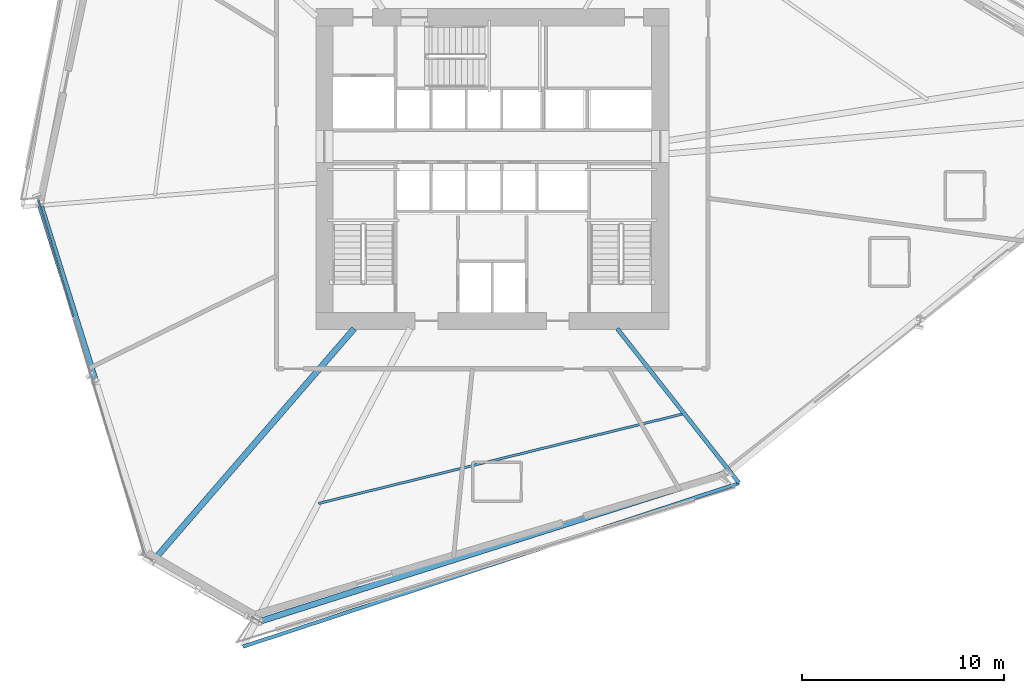
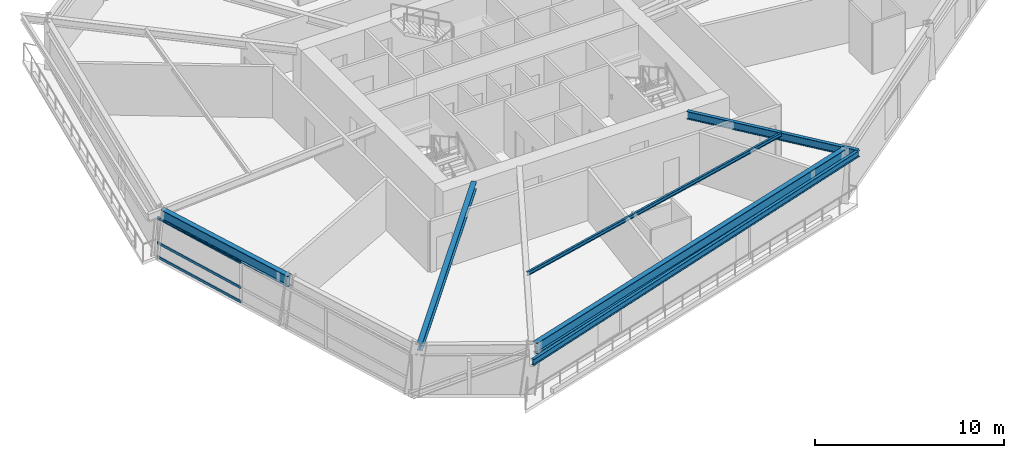
# One storey, part 5 of 22: 6 beams, 3 members, 1 element without a shape of its own.
"""IFC4 building model written with IfcOpenShell, lengths in metres."""

from ifc_helpers import new_model, si_unit, direction, frame, origin, origin_2d, place, context, subcontext, project, spatial, hollow_rectangle, i_section, extrude, source, transform, mapped, material, material_profile, profile_set, type_object, element, aggregate, save


model = new_model("IFC4")

# Units and contexts
model_context = context("Model", 3, precision=1e-05, world=origin(), true_north=direction((0.0, 1.0)))
body_context = subcontext(model_context, "Body", "Model", "MODEL_VIEW")
ifc_project = project(units=[si_unit("LENGTHUNIT", "METRE"), si_unit("AREAUNIT", "SQUARE_METRE"), si_unit("VOLUMEUNIT", "CUBIC_METRE"), si_unit("PLANEANGLEUNIT", "RADIAN"), si_unit("MASSUNIT", "GRAM", prefix="KILO")], contexts=[model_context])

# Site, building, storey
site_placement = place(None, origin())
site = spatial("IfcSite", under=ifc_project, at=site_placement, CompositionType="ELEMENT")
building_placement = place(site_placement, origin())
building = spatial("IfcBuilding", under=site, at=building_placement, Name="Olszyna Solenne Hotel", CompositionType="ELEMENT")
storey_placement = place(building_placement, frame((0.0, 0.0, 50.60009765625)))
storey = spatial("IfcBuildingStorey", under=building, at=storey_placement, Name="L12", CompositionType="ELEMENT", Elevation=50.60009765625)

# Beams
ifc_material_1 = material(Name="Steel S355J2", Category="steel")
ifc_material_profile_1 = material_profile(ifc_material_1, i_section(OverallWidth=0.300048828125, OverallDepth=0.699951171875, WebThickness=0.01708984375, FlangeThickness=0.031982421875, at=origin_2d()), Name="HEB 700", Category="load-bearing")
ifc_profile_set_1 = profile_set([ifc_material_profile_1], Name="Steel S355J2")
beam_type_1 = type_object("IfcBeamType", Name="BM-S1", PredefinedType="BEAM", material=ifc_profile_set_1)
shared_shape_1 = source(origin(), body_context, "Body", "SweptSolid", [
    extrude(i_section(OverallWidth=0.300048828125, OverallDepth=0.699951171875, WebThickness=0.01708984375, FlangeThickness=0.031982421875, at=origin_2d()), origin(), (0.0, 0.0, 1.0), 9.141357421875),
])
beam_1_placement = place(storey_placement, frame((15.6103515625, 24.746337890625, 2.949951171875), z_axis=(0.30008562476, -0.953912269453, 0.0), x_axis=(0.953912269453, 0.30008562476, 0.0)))
element("IfcBeam", 1, at=beam_1_placement, inside=storey, type_object=beam_type_1, Name="Perimeter spandrel beam BM-S1 B-L12-0383", PredefinedType="BEAM", context=body_context, shape_type="MappedRepresentation", body=[
    mapped(shared_shape_1, transform((0.0, 0.0, 0.0), x_axis=(1.0, 0.0, 0.0), y_axis=(0.0, 1.0, 0.0), z_axis=(0.0, 0.0, 1.0), scale=1.0)),
])
shared_shape_2 = source(origin(), body_context, "Body", "SweptSolid", [
    extrude(i_section(OverallWidth=0.300048828125, OverallDepth=0.699951171875, WebThickness=0.01708984375, FlangeThickness=0.031982421875, at=origin_2d()), origin(), (0.0, 0.0, 1.0), 24.333251953125),
])
beam_2_placement = place(storey_placement, frame((26.515869140625, 4.186279296875, 2.949951171875), z_axis=(0.953015077567, 0.302922864653, 0.0), x_axis=(-0.302922864653, 0.953015077567, 0.0)))
element("IfcBeam", 2, at=beam_2_placement, inside=storey, type_object=beam_type_1, Name="Perimeter spandrel beam BM-S1 B-L12-0386", PredefinedType="BEAM", context=body_context, shape_type="MappedRepresentation", body=[
    mapped(shared_shape_2, transform((0.0, 0.0, 0.0), x_axis=(1.0, 0.0, 0.0), y_axis=(0.0, 1.0, 0.0), z_axis=(0.0, 0.0, 1.0), scale=1.0)),
])
ifc_material_profile_2 = material_profile(ifc_material_1, i_section(OverallWidth=0.300048828125, OverallDepth=0.489990234375, WebThickness=0.011962890625, FlangeThickness=0.02294921875, at=origin_2d()), Name="HEA 500", Category="load-bearing")
ifc_profile_set_2 = profile_set([ifc_material_profile_2], Name="Steel S355J2")
beam_type_2 = type_object("IfcBeamType", Name="BM-G1", PredefinedType="BEAM", material=ifc_profile_set_2)
shared_shape_3 = source(origin(), body_context, "Body", "SweptSolid", [
    extrude(i_section(OverallWidth=0.300048828125, OverallDepth=0.489990234375, WebThickness=0.011962890625, FlangeThickness=0.02294921875, at=origin_2d()), origin(), (0.0, 0.0, 1.0), 15.219970703125),
])
beam_3_placement = place(storey_placement, frame((21.189697265625, 7.18017578125, 3.054931640625), z_axis=(0.654478511946, 0.75608060245, 0.0), x_axis=(-0.75608060245, 0.654478511946, 0.0)))
element("IfcBeam", 3, at=beam_3_placement, inside=storey, type_object=beam_type_2, Name="Radial floor girder BM-G1 B-L12-0395", PredefinedType="BEAM", context=body_context, shape_type="MappedRepresentation", body=[
    mapped(shared_shape_3, transform((0.0, 0.0, 0.0), x_axis=(1.0, 0.0, 0.0), y_axis=(0.0, 1.0, 0.0), z_axis=(0.0, 0.0, 1.0), scale=1.0)),
])
ifc_material_profile_3 = material_profile(ifc_material_1, i_section(OverallWidth=0.199951171875, OverallDepth=0.5, WebThickness=0.01025390625, FlangeThickness=0.01611328125, at=origin_2d()), Name="IPE 500", Category="load-bearing")
ifc_profile_set_3 = profile_set([ifc_material_profile_3], Name="Steel S355J2")
beam_type_3 = type_object("IfcBeamType", Name="BM-F3", PredefinedType="BEAM", material=ifc_profile_set_3)
shared_shape_4 = source(origin(), body_context, "Body", "SweptSolid", [
    extrude(i_section(OverallWidth=0.199951171875, OverallDepth=0.5, WebThickness=0.01025390625, FlangeThickness=0.01611328125, at=origin_2d()), origin(), (0.0, 0.0, 1.0), 9.739990234375),
])
beam_4_placement = place(storey_placement, frame((50.2275390625, 11.0439453125, 3.0498046875), z_axis=(-0.619533752051, 0.78497001858, 0.0), x_axis=(-0.78497001858, -0.619533752051, 0.0)))
element("IfcBeam", 4, at=beam_4_placement, inside=storey, type_object=beam_type_3, Name="Radial floor girder BM-F3 B-L12-0397", PredefinedType="BEAM", context=body_context, shape_type="MappedRepresentation", body=[
    mapped(shared_shape_4, transform((0.0, 0.0, 0.0), x_axis=(1.0, 0.0, 0.0), y_axis=(0.0, 1.0, 0.0), z_axis=(0.0, 0.0, 1.0), scale=1.0)),
])
ifc_material_profile_4 = material_profile(ifc_material_1, i_section(OverallWidth=0.1201171875, OverallDepth=0.239990234375, WebThickness=0.006103515625, FlangeThickness=0.009765625, at=origin_2d()), Name="IPE 240", Category="load-bearing")
ifc_profile_set_4 = profile_set([ifc_material_profile_4], Name="Steel S355J2")
beam_type_4 = type_object("IfcBeamType", Name="JS-03", PredefinedType="JOIST", material=ifc_profile_set_4)
shared_shape_5 = source(origin(), body_context, "Body", "SweptSolid", [
    extrude(i_section(OverallWidth=0.1201171875, OverallDepth=0.239990234375, WebThickness=0.006103515625, FlangeThickness=0.009765625, at=origin_2d()), origin(), (0.0, 0.0, 1.0), 18.647705078125),
])
beam_5_placement = place(storey_placement, frame((29.389892578125, 10.023681640625, 3.179931640625), z_axis=(0.971145253657, 0.238488776044, 0.0), x_axis=(-0.238488776044, 0.971145253657, 0.0)))
element("IfcBeam", 5, at=beam_5_placement, inside=storey, type_object=beam_type_4, Name="Secondary composite floor joist JS-03 B-L12-0402", PredefinedType="JOIST", context=body_context, shape_type="MappedRepresentation", body=[
    mapped(shared_shape_5, transform((0.0, 0.0, 0.0), x_axis=(1.0, 0.0, 0.0), y_axis=(0.0, 1.0, 0.0), z_axis=(0.0, 0.0, 1.0), scale=1.0)),
])
ifc_material_profile_5 = material_profile(ifc_material_1, i_section(OverallWidth=0.179931640625, OverallDepth=0.39990234375, WebThickness=0.008544921875, FlangeThickness=0.013427734375, at=origin_2d()), Name="IPE 400", Category="load-bearing")
ifc_profile_set_5 = profile_set([ifc_material_profile_5], Name="Steel S355J2")
beam_type_5 = type_object("IfcBeamType", Name="BM-F5", PredefinedType="BEAM", material=ifc_profile_set_5)
shared_shape_6 = source(origin(), body_context, "Body", "SweptSolid", [
    extrude(i_section(OverallWidth=0.179931640625, OverallDepth=0.39990234375, WebThickness=0.008544921875, FlangeThickness=0.013427734375, at=origin_2d()), origin(), (0.0, 0.0, 1.0), 25.903564453125),
])
beam_6_placement = place(storey_placement, frame((25.637939453125, 2.9208984375, 3.099853515625), z_axis=(0.949757869935, 0.312985604295, 0.0), x_axis=(-0.312985604295, 0.949757869935, 0.0)))
element("IfcBeam", 6, at=beam_6_placement, inside=storey, type_object=beam_type_5, Name="Loggia outer edge beam BM-F5 B-L12-0405", PredefinedType="BEAM", context=body_context, shape_type="MappedRepresentation", body=[
    mapped(shared_shape_6, transform((0.0, 0.0, 0.0), x_axis=(1.0, 0.0, 0.0), y_axis=(0.0, 1.0, 0.0), z_axis=(0.0, 0.0, 1.0), scale=1.0)),
])

# Curtain wall, members
ifc_material_2 = material(Name="Anodised bronze aluminium", Category="aluminium")
curtain_wall_type = type_object("IfcCurtainWallType", Name="CW-SYS-2", PredefinedType="NOTDEFINED", material=ifc_material_2)
curtain_wall_placement = place(storey_placement, origin())
curtain_wall = element("IfcCurtainWall", 7, at=curtain_wall_placement, inside=storey, type_object=curtain_wall_type, Name="Unitised curtain wall CW-SYS-2 CW-L12-01", PredefinedType="NOTDEFINED")
ifc_material_profile_6 = material_profile(ifc_material_2, hollow_rectangle(XDim=0.074951171875, YDim=0.159912109375, WallThickness=0.00390625, at=origin_2d()), Name="TRAN 160x75x4", Category="load-bearing")
ifc_profile_set_6 = profile_set([ifc_material_profile_6], Name="Anodised bronze aluminium")
member_type = type_object("IfcMemberType", Name="CW-T1", PredefinedType="USERDEFINED", material=ifc_profile_set_6)
shared_shape_7 = source(origin(), body_context, "Body", "SweptSolid", [
    extrude(hollow_rectangle(XDim=0.074951171875, YDim=0.159912109375, WallThickness=0.00390625, at=origin_2d()), origin(), (0.0, 0.0, 1.0), 6.069091796875),
])
member_1_placement = place(storey_placement, frame((15.494140625, 25.078857421875, 0.037353515625), z_axis=(0.287458598796, -0.957793064278, 0.0), x_axis=(0.957793064278, 0.287458598796, 0.0)))
member_1 = element("IfcMember", 8, at=member_1_placement, type_object=member_type, Name="Curtain-wall transom CW-T1 CT-L12-01-01", ObjectType="TRANSOM", PredefinedType="USERDEFINED", context=body_context, shape_type="MappedRepresentation", body=[
    mapped(shared_shape_7, transform((0.0, 0.0, 0.0), x_axis=(1.0, 0.0, 0.0), y_axis=(0.0, 1.0, 0.0), z_axis=(0.0, 0.0, 1.0), scale=1.0)),
])
member_2_placement = place(storey_placement, frame((15.494140625, 25.078857421875, 0.949951171875), z_axis=(0.287458598796, -0.957793064278, 0.0), x_axis=(0.957793064278, 0.287458598796, 0.0)))
member_2 = element("IfcMember", 9, at=member_2_placement, type_object=member_type, Name="Curtain-wall transom CW-T1 CT-L12-01-02", ObjectType="TRANSOM", PredefinedType="USERDEFINED", context=body_context, shape_type="MappedRepresentation", body=[
    mapped(shared_shape_7, transform((0.0, 0.0, 0.0), x_axis=(1.0, 0.0, 0.0), y_axis=(0.0, 1.0, 0.0), z_axis=(0.0, 0.0, 1.0), scale=1.0)),
])
member_3_placement = place(storey_placement, frame((15.494140625, 25.078857421875, 2.554443359375), z_axis=(0.287458598796, -0.957793064278, 0.0), x_axis=(0.957793064278, 0.287458598796, 0.0)))
member_3 = element("IfcMember", 10, at=member_3_placement, type_object=member_type, Name="Curtain-wall transom CW-T1 CT-L12-01-03", ObjectType="TRANSOM", PredefinedType="USERDEFINED", context=body_context, shape_type="MappedRepresentation", body=[
    mapped(shared_shape_7, transform((0.0, 0.0, 0.0), x_axis=(1.0, 0.0, 0.0), y_axis=(0.0, 1.0, 0.0), z_axis=(0.0, 0.0, 1.0), scale=1.0)),
])
aggregate(curtain_wall, [member_1, member_2, member_3])

save(model, "model.ifc")
